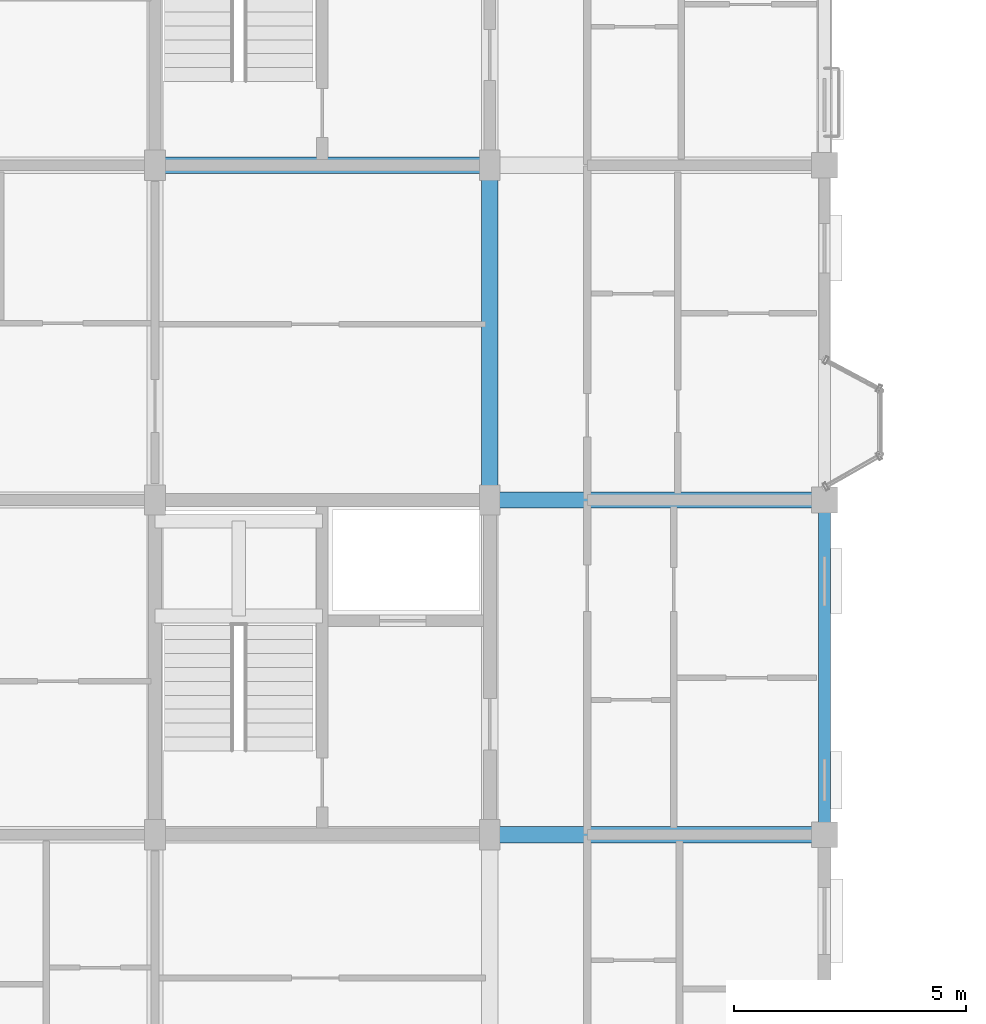
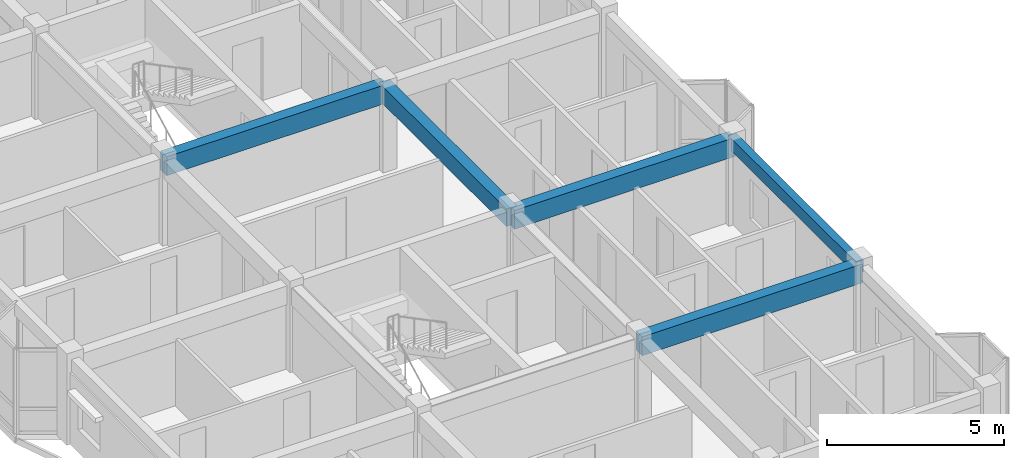
# One storey, part 18 of 79: 5 beams.
"""IFC4 building model written with IfcOpenShell, lengths in metres."""

from ifc_helpers import new_model, si_unit, direction, frame, origin, origin_2d, place, context, subcontext, project, spatial, rectangle, extrude, material, material_profile, profile_set, type_object, element, save


model = new_model("IFC4")

# Units and contexts
model_context = context("Model", 3, precision=1e-05, world=origin(), true_north=direction((0.0, 1.0)))
body_context = subcontext(model_context, "Body", "Model", "MODEL_VIEW")
ifc_project = project(units=[si_unit("LENGTHUNIT", "METRE"), si_unit("AREAUNIT", "SQUARE_METRE"), si_unit("VOLUMEUNIT", "CUBIC_METRE"), si_unit("PLANEANGLEUNIT", "RADIAN"), si_unit("MASSUNIT", "GRAM", prefix="KILO"), si_unit("THERMODYNAMICTEMPERATUREUNIT", "KELVIN"), si_unit("POWERUNIT", "WATT")], contexts=[model_context])

# Site, building, storey
site_placement = place(None, origin())
site = spatial("IfcSite", under=ifc_project, at=site_placement, CompositionType="ELEMENT")
building_placement = place(site_placement, origin())
building = spatial("IfcBuilding", under=site, at=building_placement, Name="Tavuni Mirador Residences", CompositionType="ELEMENT")
storey_placement = place(building_placement, frame((0.0, 0.0, 13.949951171875)))
storey = spatial("IfcBuildingStorey", under=building, at=storey_placement, Name="L04", CompositionType="ELEMENT", Elevation=13.949951171875)

# Beams
ifc_material = material(Name="Precast concrete C40/50", Category="concrete")
ifc_material_profile_1 = material_profile(ifc_material, rectangle(XDim=0.35009765625, YDim=0.60009765625, at=origin_2d()), Name="PC 350x600", Category="concrete")
ifc_profile_set_1 = profile_set([ifc_material_profile_1], Name="Precast concrete C40/50")
beam_type_1 = type_object("IfcBeamType", Name="BT-B600", PredefinedType="BEAM", material=ifc_profile_set_1)
beam_1_placement = place(storey_placement, frame((18.0, 79.199951171875, 2.610107421875), z_axis=(0.0, 1.0, 0.0), x_axis=(-1.0, 0.0, 0.0)))
element("IfcBeam", 1, at=beam_1_placement, inside=storey, type_object=beam_type_1, Name="BMY-BLK-B-L04-02-02", PredefinedType="BEAM", context=body_context, shape_type="SweptSolid", body=[
    extrude(rectangle(XDim=0.35009765625, YDim=0.60009765625, at=origin_2d()), origin(), (0.0, 0.0, 1.0), 7.199951171875),
])
ifc_material_profile_2 = material_profile(ifc_material, rectangle(XDim=0.35009765625, YDim=0.64990234375, at=origin_2d()), Name="PC 350x650", Category="concrete")
ifc_profile_set_2 = profile_set([ifc_material_profile_2], Name="Precast concrete C40/50")
beam_type_2 = type_object("IfcBeamType", Name="BT-B650", PredefinedType="BEAM", material=ifc_profile_set_2)
for number, where, z_axis, x_axis, name in (
    (2, (18.0, 72.0, 2.5849609375), (1.0, 0.0, 0.0), (0.0, 1.0, 0.0), "BMX-BLK-B-L04-02-01"),
    (3, (18.0, 79.199951171875, 2.5849609375), (1.0, 0.0, 0.0), (0.0, 1.0, 0.0), "BMX-BLK-B-L04-02-02"),
    (4, (10.800048828125, 86.39990234375, 2.5849609375), (1.0, 0.0, 0.0), (0.0, 1.0, 0.0), "BMX-BLK-B-L04-01-03"),
):
    element("IfcBeam", number, at=place(storey_placement, frame(where, z_axis=z_axis, x_axis=x_axis)), inside=storey, type_object=beam_type_2, Name=name, PredefinedType="BEAM", context=body_context, shape_type="SweptSolid", body=[
        extrude(rectangle(XDim=0.35009765625, YDim=0.64990234375, at=origin_2d()), origin(), (0.0, 0.0, 1.0), 7.199951171875),
    ])
ifc_material_profile_3 = material_profile(ifc_material, rectangle(XDim=0.25, YDim=0.419921875, at=origin_2d()), Name="PC 250x420", Category="concrete")
ifc_profile_set_3 = profile_set([ifc_material_profile_3], Name="Precast concrete C40/50")
beam_type_3 = type_object("IfcBeamType", Name="BT-SP420", PredefinedType="SPANDREL", material=ifc_profile_set_3)
beam_2_placement = place(storey_placement, frame((25.199951171875, 72.0, 2.699951171875), z_axis=(0.0, 1.0, 0.0), x_axis=(-1.0, 0.0, 0.0)))
element("IfcBeam", 5, at=beam_2_placement, inside=storey, type_object=beam_type_3, Name="BMY-BLK-B-L04-03-01", PredefinedType="SPANDREL", context=body_context, shape_type="SweptSolid", body=[
    extrude(rectangle(XDim=0.25, YDim=0.419921875, at=origin_2d()), origin(), (0.0, 0.0, 1.0), 7.199951171875),
])

save(model, "model.ifc")
